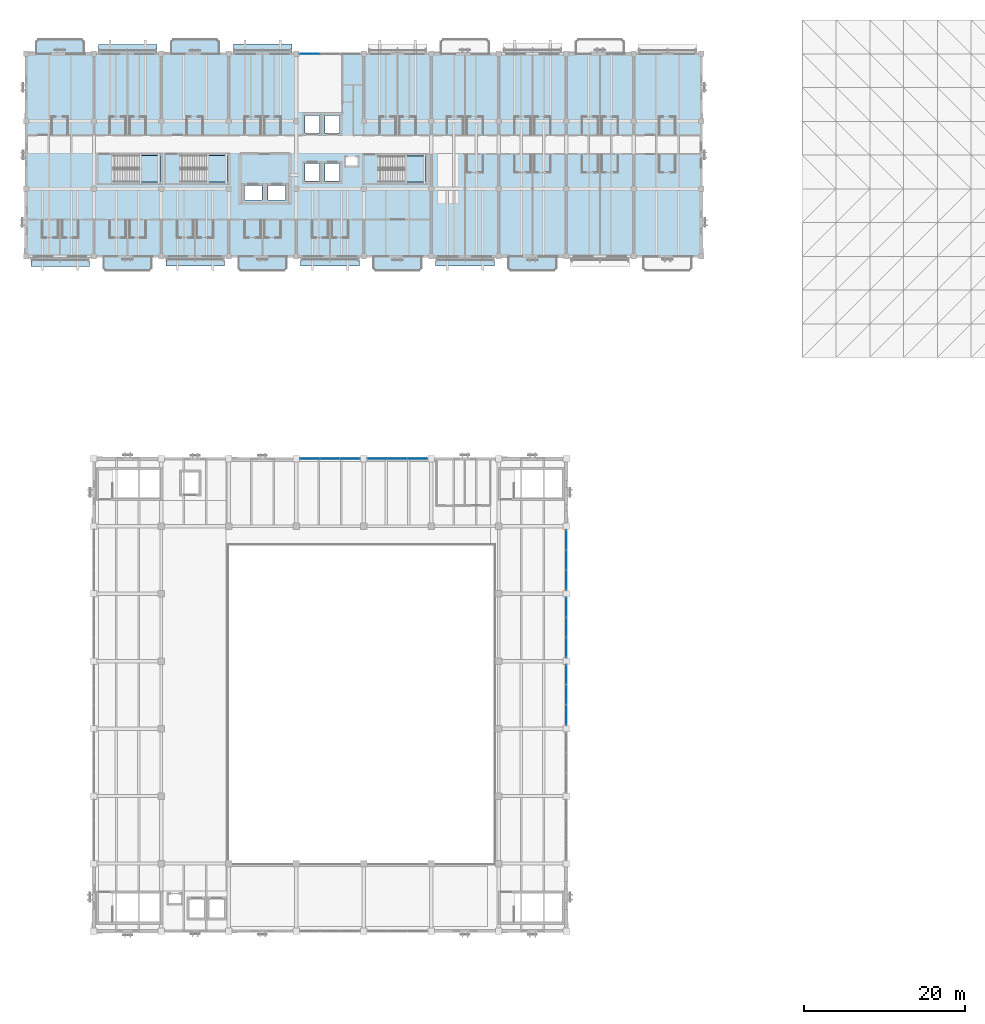
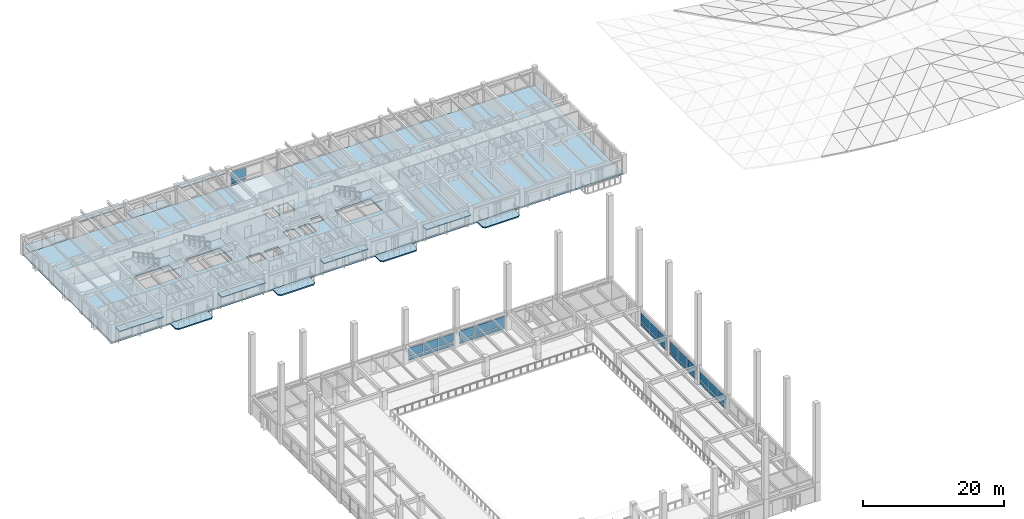
# One storey, part 17 of 64: 38 plates, 10 slabs, 15 elements without a shape of their own.
"""IFC4 building model written with IfcOpenShell, lengths in metres."""

from ifc_helpers import new_model, si_unit, direction, frame, origin, origin_2d, place, context, subcontext, project, spatial, polyline, rectangle, outline, extrude, material, layer, layer_set, type_object, element, aggregate, save


model = new_model("IFC4")

# Units and contexts
model_context = context("Model", 3, precision=1e-05, world=origin(), true_north=direction((0.0, 1.0)))
body_context = subcontext(model_context, "Body", "Model", "MODEL_VIEW")
ifc_project = project(units=[si_unit("LENGTHUNIT", "METRE"), si_unit("AREAUNIT", "SQUARE_METRE"), si_unit("VOLUMEUNIT", "CUBIC_METRE"), si_unit("PLANEANGLEUNIT", "RADIAN"), si_unit("MASSUNIT", "GRAM", prefix="KILO")], contexts=[model_context])

# Site, building, storey
site_placement = place(None, origin())
site = spatial("IfcSite", under=ifc_project, at=site_placement, CompositionType="ELEMENT")
building_placement = place(site_placement, origin())
building = spatial("IfcBuilding", under=site, at=building_placement, Name="Cumbredor Promenade Congress Hotel", CompositionType="ELEMENT")
storey_placement = place(building_placement, frame((0.0, 0.0, 18.47998046875)))
storey = spatial("IfcBuildingStorey", under=building, at=storey_placement, Name="L05", CompositionType="ELEMENT", Elevation=18.47998046875)

# Slabs
ifc_material_1 = material(Name="Concrete C40/50", Category="concrete")
ifc_layer_1 = layer(ifc_material_1, 0.215087890625, Name="Concrete C40/50", Category="concrete")
ifc_layer_set_1 = layer_set([ifc_layer_1], Name="Concrete C40/50")
slab_type_1 = type_object("IfcSlabType", Name="Cantilevered Guestroom Balcony Slab 215mm", PredefinedType="FLOOR", material=ifc_layer_set_1)
slab_1_placement = place(storey_placement, frame((0.0, 0.0, -0.215087890625)))
element("IfcSlab", 1, at=slab_1_placement, inside=storey, type_object=slab_type_1, Name="L05 Cantilevered Guestroom Veranda Balcony 025", PredefinedType="FLOOR", context=body_context, shape_type="SweptSolid", body=[
    extrude(outline(polyline([(1.14990234375, 117.60009765625), (7.25, 117.60009765625), (7.25, 119.10009765625), (6.89990234375, 119.449951171875), (1.5, 119.449951171875), (1.14990234375, 119.10009765625), (1.14990234375, 117.60009765625)])), origin(), (0.0, 0.0, 1.0), 0.215087890625),
])
slab_2_placement = place(storey_placement, frame((0.0, 0.0, -0.215087890625)))
element("IfcSlab", 2, at=slab_2_placement, inside=storey, type_object=slab_type_1, Name="L05 Cantilevered Guestroom Veranda Balcony 026", PredefinedType="FLOOR", context=body_context, shape_type="SweptSolid", body=[
    extrude(outline(polyline([(17.949951171875, 117.60009765625), (24.050048828125, 117.60009765625), (24.050048828125, 119.10009765625), (23.699951171875, 119.449951171875), (18.300048828125, 119.449951171875), (17.949951171875, 119.10009765625), (17.949951171875, 117.60009765625)])), origin(), (0.0, 0.0, 1.0), 0.215087890625),
])
slab_3_placement = place(storey_placement, frame((0.0, 0.0, -0.215087890625)))
element("IfcSlab", 3, at=slab_3_placement, inside=storey, type_object=slab_type_1, Name="L05 Cantilevered Guestroom Veranda Balcony 029", PredefinedType="FLOOR", context=body_context, shape_type="SweptSolid", body=[
    extrude(outline(polyline([(9.89990234375, 90.550048828125), (15.300048828125, 90.550048828125), (15.64990234375, 90.89990234375), (15.64990234375, 92.39990234375), (9.550048828125, 92.39990234375), (9.550048828125, 90.89990234375), (9.89990234375, 90.550048828125)])), origin(), (0.0, 0.0, 1.0), 0.215087890625),
])
slab_4_placement = place(storey_placement, frame((0.0, 0.0, -0.215087890625)))
element("IfcSlab", 4, at=slab_4_placement, inside=storey, type_object=slab_type_1, Name="L05 Cantilevered Guestroom Veranda Balcony 030", PredefinedType="FLOOR", context=body_context, shape_type="SweptSolid", body=[
    extrude(outline(polyline([(26.699951171875, 90.550048828125), (32.10009765625, 90.550048828125), (32.449951171875, 90.89990234375), (32.449951171875, 92.39990234375), (26.35009765625, 92.39990234375), (26.35009765625, 90.89990234375), (26.699951171875, 90.550048828125)])), origin(), (0.0, 0.0, 1.0), 0.215087890625),
])
slab_5_placement = place(storey_placement, frame((0.0, 0.0, -0.215087890625)))
element("IfcSlab", 5, at=slab_5_placement, inside=storey, type_object=slab_type_1, Name="L05 Cantilevered Guestroom Veranda Balcony 031", PredefinedType="FLOOR", context=body_context, shape_type="SweptSolid", body=[
    extrude(outline(polyline([(43.5, 90.550048828125), (48.89990234375, 90.550048828125), (49.25, 90.89990234375), (49.25, 92.39990234375), (43.14990234375, 92.39990234375), (43.14990234375, 90.89990234375), (43.5, 90.550048828125)])), origin(), (0.0, 0.0, 1.0), 0.215087890625),
])
slab_6_placement = place(storey_placement, frame((0.0, 0.0, -0.215087890625)))
element("IfcSlab", 6, at=slab_6_placement, inside=storey, type_object=slab_type_1, Name="L05 Cantilevered Guestroom Veranda Balcony 032", PredefinedType="FLOOR", context=body_context, shape_type="SweptSolid", body=[
    extrude(outline(polyline([(60.300048828125, 90.550048828125), (65.699951171875, 90.550048828125), (66.050048828125, 90.89990234375), (66.050048828125, 92.39990234375), (59.949951171875, 92.39990234375), (59.949951171875, 90.89990234375), (60.300048828125, 90.550048828125)])), origin(), (0.0, 0.0, 1.0), 0.215087890625),
])

# Stair, slab
stair_type_1 = type_object("IfcStairType", Name="Protected Dog-Leg Exit Stair ST-T2 1600mm", PredefinedType="HALF_TURN_STAIR", material=ifc_material_1)
stair_1_placement = place(storey_placement, origin())
stair_1 = element("IfcStair", 7, at=stair_1_placement, inside=storey, type_object=stair_type_1, Name="L05 Protected Exit Stair ST-01", PredefinedType="HALF_TURN_STAIR")
ifc_layer_2 = layer(ifc_material_1, 0.199951171875, Name="Concrete C40/50", Category="concrete")
ifc_layer_set_2 = layer_set([ifc_layer_2], Name="Concrete C40/50")
slab_type_2 = type_object("IfcSlabType", Name="Concrete Stair Landing Slab 200mm", PredefinedType="LANDING", material=ifc_layer_set_2)
slab_7_placement = place(storey_placement, frame((0.0, 0.0, 1.47998046875)))
slab_7 = element("IfcSlab", 8, at=slab_7_placement, type_object=slab_type_2, Name="ST-01 landing 1", PredefinedType="LANDING", context=body_context, shape_type="SweptSolid", body=[
    extrude(outline(polyline([(14.050048828125, 101.6201171875), (16.64990234375, 101.6201171875), (16.64990234375, 104.969970703125), (14.050048828125, 104.969970703125), (14.050048828125, 101.6201171875)])), origin(), (0.0, 0.0, 1.0), 0.199951171875),
])
aggregate(stair_1, [slab_7])

stair_2_placement = place(storey_placement, origin())
stair_2 = element("IfcStair", 9, at=stair_2_placement, inside=storey, type_object=stair_type_1, Name="L05 Protected Exit Stair ST-02", PredefinedType="HALF_TURN_STAIR")
slab_8_placement = place(storey_placement, frame((0.0, 0.0, 1.47998046875)))
slab_8 = element("IfcSlab", 10, at=slab_8_placement, type_object=slab_type_2, Name="ST-02 landing 1", PredefinedType="LANDING", context=body_context, shape_type="SweptSolid", body=[
    extrude(outline(polyline([(22.449951171875, 101.6201171875), (25.050048828125, 101.6201171875), (25.050048828125, 104.969970703125), (22.449951171875, 104.969970703125), (22.449951171875, 101.6201171875)])), origin(), (0.0, 0.0, 1.0), 0.199951171875),
])
aggregate(stair_2, [slab_8])

stair_type_2 = type_object("IfcStairType", Name="Protected Dog-Leg Exit Stair ST-T1 1550mm", PredefinedType="HALF_TURN_STAIR", material=ifc_material_1)
stair_3_placement = place(storey_placement, origin())
stair_3 = element("IfcStair", 11, at=stair_3_placement, inside=storey, type_object=stair_type_2, Name="L05 Protected Exit Stair ST-03", PredefinedType="HALF_TURN_STAIR")
slab_9_placement = place(storey_placement, frame((0.0, 0.0, 1.47998046875)))
slab_9 = element("IfcSlab", 12, at=slab_9_placement, type_object=slab_type_2, Name="ST-03 landing 1", PredefinedType="LANDING", context=body_context, shape_type="SweptSolid", body=[
    extrude(outline(polyline([(47.10009765625, 101.6201171875), (49.699951171875, 101.6201171875), (49.699951171875, 104.8701171875), (47.10009765625, 104.8701171875), (47.10009765625, 101.6201171875)])), origin(), (0.0, 0.0, 1.0), 0.199951171875),
])
aggregate(stair_3, [slab_9])

# Curtain wall, plates
ifc_material_2 = material(Name="Thermally broken anodized aluminium and low-E glass", Category="aluminium")
curtain_wall_type_1 = type_object("IfcCurtainWallType", Name="Unitised Bronze Curtain Wall CW-01", PredefinedType="NOTDEFINED", material=ifc_material_2)
curtain_wall_1_placement = place(storey_placement, origin())
curtain_wall_1 = element("IfcCurtainWall", 13, at=curtain_wall_1_placement, inside=storey, type_object=curtain_wall_type_1, Name="L05 Plenary Congress Hall North Curtain Wall 5", PredefinedType="NOTDEFINED")
ifc_material_3 = material(Name="Laminated low-E solar-control glass", Category="glass")
ifc_layer_3 = layer(ifc_material_3, 0.028076171875, Name="Laminated low-E solar-control glass", Category="glass")
ifc_layer_set_3 = layer_set([ifc_layer_3], Name="Laminated low-E solar-control glass")
plate_type_1 = type_object("IfcPlateType", Name="Glazed Vision Panel PNL-01", PredefinedType="CURTAIN_PANEL", material=ifc_layer_set_3)
plate_1_placement = place(storey_placement, frame((43.703369140625, 67.199951171875, 0.784912109375), z_axis=(0.0, 0.0, 1.0), x_axis=(1.0, 0.0, 0.0)))
plate_1 = element("IfcPlate", 14, at=plate_1_placement, type_object=plate_type_1, Name="L05 Plenary Congress Hall North Curtain Wall 5 Glazing Panel 1.2", PredefinedType="CURTAIN_PANEL", context=body_context, shape_type="SweptSolid", body=[
    extrude(rectangle(XDim=2.431640625, YDim=0.028076171875, at=origin_2d()), origin(), (0.0, 0.0, 1.0), 1.580078125),
])
plate_2_placement = place(storey_placement, frame((46.199951171875, 67.199951171875, 0.784912109375), z_axis=(0.0, 0.0, 1.0), x_axis=(1.0, 0.0, 0.0)))
plate_2 = element("IfcPlate", 15, at=plate_2_placement, type_object=plate_type_1, Name="L05 Plenary Congress Hall North Curtain Wall 5 Glazing Panel 2.2", PredefinedType="CURTAIN_PANEL", context=body_context, shape_type="SweptSolid", body=[
    extrude(rectangle(XDim=2.431640625, YDim=0.028076171875, at=origin_2d()), origin(), (0.0, 0.0, 1.0), 1.580078125),
])
plate_3_placement = place(storey_placement, frame((48.69677734375, 67.199951171875, 0.784912109375), z_axis=(0.0, 0.0, 1.0), x_axis=(1.0, 0.0, 0.0)))
plate_3 = element("IfcPlate", 16, at=plate_3_placement, type_object=plate_type_1, Name="L05 Plenary Congress Hall North Curtain Wall 5 Glazing Panel 3.2", PredefinedType="CURTAIN_PANEL", context=body_context, shape_type="SweptSolid", body=[
    extrude(rectangle(XDim=2.431640625, YDim=0.028076171875, at=origin_2d()), origin(), (0.0, 0.0, 1.0), 1.580078125),
])

curtain_wall_2_placement = place(storey_placement, origin())
curtain_wall_2 = element("IfcCurtainWall", 17, at=curtain_wall_2_placement, inside=storey, type_object=curtain_wall_type_1, Name="L05 Plenary Congress Hall East Curtain Wall 5", PredefinedType="NOTDEFINED")
plate_4_placement = place(storey_placement, frame((67.199951171875, 43.703369140625, 0.784912109375), z_axis=(0.0, 0.0, 1.0), x_axis=(0.0, 1.0, 0.0)))
plate_4 = element("IfcPlate", 18, at=plate_4_placement, type_object=plate_type_1, Name="L05 Plenary Congress Hall East Curtain Wall 5 Glazing Panel 1.2", PredefinedType="CURTAIN_PANEL", context=body_context, shape_type="SweptSolid", body=[
    extrude(rectangle(XDim=2.431640625, YDim=0.028076171875, at=origin_2d()), origin(), (0.0, 0.0, 1.0), 1.580078125),
])
plate_5_placement = place(storey_placement, frame((67.199951171875, 46.199951171875, 0.784912109375), z_axis=(0.0, 0.0, 1.0), x_axis=(0.0, 1.0, 0.0)))
plate_5 = element("IfcPlate", 19, at=plate_5_placement, type_object=plate_type_1, Name="L05 Plenary Congress Hall East Curtain Wall 5 Glazing Panel 2.2", PredefinedType="CURTAIN_PANEL", context=body_context, shape_type="SweptSolid", body=[
    extrude(rectangle(XDim=2.431640625, YDim=0.028076171875, at=origin_2d()), origin(), (0.0, 0.0, 1.0), 1.580078125),
])
plate_6_placement = place(storey_placement, frame((67.199951171875, 48.69677734375, 0.784912109375), z_axis=(0.0, 0.0, 1.0), x_axis=(0.0, 1.0, 0.0)))
plate_6 = element("IfcPlate", 20, at=plate_6_placement, type_object=plate_type_1, Name="L05 Plenary Congress Hall East Curtain Wall 5 Glazing Panel 3.2", PredefinedType="CURTAIN_PANEL", context=body_context, shape_type="SweptSolid", body=[
    extrude(rectangle(XDim=2.431640625, YDim=0.028076171875, at=origin_2d()), origin(), (0.0, 0.0, 1.0), 1.580078125),
])

curtain_wall_3_placement = place(storey_placement, origin())
curtain_wall_3 = element("IfcCurtainWall", 21, at=curtain_wall_3_placement, inside=storey, type_object=curtain_wall_type_1, Name="L05 Plenary Congress Hall East Curtain Wall 6", PredefinedType="NOTDEFINED")
ifc_layer_4 = layer(ifc_material_3, 0.031982421875, Name="Laminated low-E solar-control glass", Category="glass")
ifc_layer_set_4 = layer_set([ifc_layer_4], Name="Laminated low-E solar-control glass")
plate_type_2 = type_object("IfcPlateType", Name="Glazed Vision Panel PNL-02", PredefinedType="CURTAIN_PANEL", material=ifc_layer_set_4)
plate_7_placement = place(storey_placement, frame((67.199951171875, 52.103271484375, 0.794921875), z_axis=(0.0, 0.0, 1.0), x_axis=(0.0, 1.0, 0.0)))
plate_7 = element("IfcPlate", 22, at=plate_7_placement, type_object=plate_type_2, Name="L05 Plenary Congress Hall East Curtain Wall 6 Glazing Panel 1.2", PredefinedType="CURTAIN_PANEL", context=body_context, shape_type="SweptSolid", body=[
    extrude(rectangle(XDim=2.421630859375, YDim=0.031982421875, at=origin_2d()), origin(), (0.0, 0.0, 1.0), 1.550048828125),
])
plate_8_placement = place(storey_placement, frame((67.199951171875, 54.60009765625, 0.794921875), z_axis=(0.0, 0.0, 1.0), x_axis=(0.0, 1.0, 0.0)))
plate_8 = element("IfcPlate", 23, at=plate_8_placement, type_object=plate_type_2, Name="L05 Plenary Congress Hall East Curtain Wall 6 Glazing Panel 2.2", PredefinedType="CURTAIN_PANEL", context=body_context, shape_type="SweptSolid", body=[
    extrude(rectangle(XDim=2.421630859375, YDim=0.031982421875, at=origin_2d()), origin(), (0.0, 0.0, 1.0), 1.550048828125),
])
plate_9_placement = place(storey_placement, frame((67.199951171875, 57.0966796875, 0.794921875), z_axis=(0.0, 0.0, 1.0), x_axis=(0.0, 1.0, 0.0)))
plate_9 = element("IfcPlate", 24, at=plate_9_placement, type_object=plate_type_2, Name="L05 Plenary Congress Hall East Curtain Wall 6 Glazing Panel 3.2", PredefinedType="CURTAIN_PANEL", context=body_context, shape_type="SweptSolid", body=[
    extrude(rectangle(XDim=2.421630859375, YDim=0.031982421875, at=origin_2d()), origin(), (0.0, 0.0, 1.0), 1.550048828125),
])

curtain_wall_4_placement = place(storey_placement, origin())
curtain_wall_4 = element("IfcCurtainWall", 25, at=curtain_wall_4_placement, inside=storey, type_object=curtain_wall_type_1, Name="L05 Plenary Congress Hall North Curtain Wall 4", PredefinedType="NOTDEFINED")
ifc_layer_5 = layer(ifc_material_3, 0.028076171875, Name="Laminated low-E solar-control glass", Category="glass")
ifc_layer_set_5 = layer_set([ifc_layer_5], Name="Laminated low-E solar-control glass")
plate_type_3 = type_object("IfcPlateType", Name="Glazed Vision Panel PNL-03", PredefinedType="CURTAIN_PANEL", material=ifc_layer_set_5)
plate_10_placement = place(storey_placement, frame((35.30322265625, 67.199951171875, 0.81005859375), z_axis=(0.0, 0.0, 1.0), x_axis=(1.0, 0.0, 0.0)))
plate_10 = element("IfcPlate", 26, at=plate_10_placement, type_object=plate_type_3, Name="L05 Plenary Congress Hall North Curtain Wall 4 Glazing Panel 1.2", PredefinedType="CURTAIN_PANEL", context=body_context, shape_type="SweptSolid", body=[
    extrude(rectangle(XDim=2.416748046875, YDim=0.028076171875, at=origin_2d()), origin(), (0.0, 0.0, 1.0), 1.5),
])
plate_11_placement = place(storey_placement, frame((37.800048828125, 67.199951171875, 0.81005859375), z_axis=(0.0, 0.0, 1.0), x_axis=(1.0, 0.0, 0.0)))
plate_11 = element("IfcPlate", 27, at=plate_11_placement, type_object=plate_type_3, Name="L05 Plenary Congress Hall North Curtain Wall 4 Glazing Panel 2.2", PredefinedType="CURTAIN_PANEL", context=body_context, shape_type="SweptSolid", body=[
    extrude(rectangle(XDim=2.41650390625, YDim=0.028076171875, at=origin_2d()), origin(), (0.0, 0.0, 1.0), 1.5),
])
plate_12_placement = place(storey_placement, frame((40.296630859375, 67.199951171875, 0.81005859375), z_axis=(0.0, 0.0, 1.0), x_axis=(1.0, 0.0, 0.0)))
plate_12 = element("IfcPlate", 28, at=plate_12_placement, type_object=plate_type_3, Name="L05 Plenary Congress Hall North Curtain Wall 4 Glazing Panel 3.2", PredefinedType="CURTAIN_PANEL", context=body_context, shape_type="SweptSolid", body=[
    extrude(rectangle(XDim=2.416748046875, YDim=0.028076171875, at=origin_2d()), origin(), (0.0, 0.0, 1.0), 1.5),
])

curtain_wall_5_placement = place(storey_placement, origin())
curtain_wall_5 = element("IfcCurtainWall", 29, at=curtain_wall_5_placement, inside=storey, type_object=curtain_wall_type_1, Name="L05 Plenary Congress Hall East Curtain Wall 4", PredefinedType="NOTDEFINED")
plate_13_placement = place(storey_placement, frame((67.199951171875, 35.30322265625, 0.81005859375), z_axis=(0.0, 0.0, 1.0), x_axis=(0.0, 1.0, 0.0)))
plate_13 = element("IfcPlate", 30, at=plate_13_placement, type_object=plate_type_3, Name="L05 Plenary Congress Hall East Curtain Wall 4 Glazing Panel 1.2", PredefinedType="CURTAIN_PANEL", context=body_context, shape_type="SweptSolid", body=[
    extrude(rectangle(XDim=2.416748046875, YDim=0.028076171875, at=origin_2d()), origin(), (0.0, 0.0, 1.0), 1.5),
])
plate_14_placement = place(storey_placement, frame((67.199951171875, 37.800048828125, 0.81005859375), z_axis=(0.0, 0.0, 1.0), x_axis=(0.0, 1.0, 0.0)))
plate_14 = element("IfcPlate", 31, at=plate_14_placement, type_object=plate_type_3, Name="L05 Plenary Congress Hall East Curtain Wall 4 Glazing Panel 2.2", PredefinedType="CURTAIN_PANEL", context=body_context, shape_type="SweptSolid", body=[
    extrude(rectangle(XDim=2.41650390625, YDim=0.028076171875, at=origin_2d()), origin(), (0.0, 0.0, 1.0), 1.5),
])
plate_15_placement = place(storey_placement, frame((67.199951171875, 40.296630859375, 0.81005859375), z_axis=(0.0, 0.0, 1.0), x_axis=(0.0, 1.0, 0.0)))
plate_15 = element("IfcPlate", 32, at=plate_15_placement, type_object=plate_type_3, Name="L05 Plenary Congress Hall East Curtain Wall 4 Glazing Panel 3.2", PredefinedType="CURTAIN_PANEL", context=body_context, shape_type="SweptSolid", body=[
    extrude(rectangle(XDim=2.416748046875, YDim=0.028076171875, at=origin_2d()), origin(), (0.0, 0.0, 1.0), 1.5),
])

# Curtain wall, plate
curtain_wall_6_placement = place(storey_placement, origin())
curtain_wall_6 = element("IfcCurtainWall", 33, at=curtain_wall_6_placement, inside=storey, type_object=curtain_wall_type_1, Name="L05 Stepped Congress Hotel Wing North Curtain Wall 5", PredefinedType="NOTDEFINED")
plate_16_placement = place(storey_placement, frame((35.27001953125, 117.60009765625, 0.81005859375), z_axis=(0.0, 0.0, 1.0), x_axis=(1.0, 0.0, 0.0)))
plate_16 = element("IfcPlate", 34, at=plate_16_placement, type_object=plate_type_3, Name="L05 Stepped Congress Hotel Wing North Curtain Wall 5 Glazing Panel 1.2", PredefinedType="CURTAIN_PANEL", context=body_context, shape_type="SweptSolid", body=[
    extrude(rectangle(XDim=2.449951171875, YDim=0.028076171875, at=origin_2d()), origin(), (0.0, 0.0, 1.0), 1.5),
])

curtain_wall_type_2 = type_object("IfcCurtainWallType", Name="Solar Brise-Soleil Screen Assembly CW-07", PredefinedType="NOTDEFINED", material=ifc_material_2)
curtain_wall_7_placement = place(storey_placement, origin())
curtain_wall_7 = element("IfcCurtainWall", 35, at=curtain_wall_7_placement, inside=storey, type_object=curtain_wall_type_2, Name="L05 Hospitality Brise-Soleil Screen 078", PredefinedType="NOTDEFINED")
ifc_material_4 = material(Name="Precast concrete C40/50", Category="concrete")
ifc_layer_6 = layer(ifc_material_4, 0.14501953125, Name="Precast concrete C40/50", Category="concrete")
ifc_layer_set_6 = layer_set([ifc_layer_6], Name="Precast concrete C40/50")
plate_type_4 = type_object("IfcPlateType", Name="Horizontal Precast Sun-Hood Eyebrow Plate 145mm", PredefinedType="USERDEFINED", material=ifc_layer_set_6)
plate_17_placement = place(storey_placement, frame((4.199951171875, 91.802490234375, 2.333984375), z_axis=(0.0, 0.0, 1.0), x_axis=(1.0, 0.0, 0.0)))
plate_17 = element("IfcPlate", 36, at=plate_17_placement, type_object=plate_type_4, Name="L05 Horizontal Sun-Hood Eyebrow 078", ObjectType="SUN HOOD", PredefinedType="USERDEFINED", context=body_context, shape_type="SweptSolid", body=[
    extrude(rectangle(XDim=7.298095703125, YDim=1.35498046875, at=origin_2d()), origin(), (0.0, 0.0, 1.0), 0.14501953125),
])
aggregate(curtain_wall_7, [plate_17])

curtain_wall_8_placement = place(storey_placement, origin())
curtain_wall_8 = element("IfcCurtainWall", 37, at=curtain_wall_8_placement, inside=storey, type_object=curtain_wall_type_2, Name="L05 Hospitality Brise-Soleil Screen 079", PredefinedType="NOTDEFINED")
plate_18_placement = place(storey_placement, frame((21.0, 91.844970703125, 2.333984375), z_axis=(0.0, 0.0, 1.0), x_axis=(1.0, 0.0, 0.0)))
plate_18 = element("IfcPlate", 38, at=plate_18_placement, type_object=plate_type_4, Name="L05 Horizontal Sun-Hood Eyebrow 079", ObjectType="SUN HOOD", PredefinedType="USERDEFINED", context=body_context, shape_type="SweptSolid", body=[
    extrude(rectangle(XDim=7.298095703125, YDim=1.27001953125, at=origin_2d()), origin(), (0.0, 0.0, 1.0), 0.14501953125),
])
aggregate(curtain_wall_8, [plate_18])

curtain_wall_9_placement = place(storey_placement, origin())
curtain_wall_9 = element("IfcCurtainWall", 39, at=curtain_wall_9_placement, inside=storey, type_object=curtain_wall_type_2, Name="L05 Hospitality Brise-Soleil Screen 080", PredefinedType="NOTDEFINED")
plate_19_placement = place(storey_placement, frame((37.800048828125, 91.833740234375, 2.333984375), z_axis=(0.0, 0.0, 1.0), x_axis=(1.0, 0.0, 0.0)))
plate_19 = element("IfcPlate", 40, at=plate_19_placement, type_object=plate_type_4, Name="L05 Horizontal Sun-Hood Eyebrow 080", ObjectType="SUN HOOD", PredefinedType="USERDEFINED", context=body_context, shape_type="SweptSolid", body=[
    extrude(rectangle(XDim=7.298095703125, YDim=1.29248046875, at=origin_2d()), origin(), (0.0, 0.0, 1.0), 0.14501953125),
])
aggregate(curtain_wall_9, [plate_19])

curtain_wall_10_placement = place(storey_placement, origin())
curtain_wall_10 = element("IfcCurtainWall", 41, at=curtain_wall_10_placement, inside=storey, type_object=curtain_wall_type_2, Name="L05 Hospitality Brise-Soleil Screen 081", PredefinedType="NOTDEFINED")
plate_20_placement = place(storey_placement, frame((54.60009765625, 91.820068359375, 2.333984375), z_axis=(0.0, 0.0, 1.0), x_axis=(1.0, 0.0, 0.0)))
plate_20 = element("IfcPlate", 42, at=plate_20_placement, type_object=plate_type_4, Name="L05 Horizontal Sun-Hood Eyebrow 081", ObjectType="SUN HOOD", PredefinedType="USERDEFINED", context=body_context, shape_type="SweptSolid", body=[
    extrude(rectangle(XDim=7.298095703125, YDim=1.320068359375, at=origin_2d()), origin(), (0.0, 0.0, 1.0), 0.14501953125),
])
aggregate(curtain_wall_10, [plate_20])

curtain_wall_11_placement = place(storey_placement, origin())
curtain_wall_11 = element("IfcCurtainWall", 43, at=curtain_wall_11_placement, inside=storey, type_object=curtain_wall_type_2, Name="L05 Hospitality Brise-Soleil Screen 083", PredefinedType="NOTDEFINED")
plate_21_placement = place(storey_placement, frame((12.60009765625, 118.14990234375, 2.333984375), z_axis=(0.0, 0.0, 1.0), x_axis=(1.0, 0.0, 0.0)))
plate_21 = element("IfcPlate", 44, at=plate_21_placement, type_object=plate_type_4, Name="L05 Horizontal Sun-Hood Eyebrow 083", ObjectType="SUN HOOD", PredefinedType="USERDEFINED", context=body_context, shape_type="SweptSolid", body=[
    extrude(rectangle(XDim=7.298095703125, YDim=1.260009765625, at=origin_2d()), origin(), (0.0, 0.0, 1.0), 0.14501953125),
])
aggregate(curtain_wall_11, [plate_21])

curtain_wall_12_placement = place(storey_placement, origin())
curtain_wall_12 = element("IfcCurtainWall", 45, at=curtain_wall_12_placement, inside=storey, type_object=curtain_wall_type_2, Name="L05 Hospitality Brise-Soleil Screen 084", PredefinedType="NOTDEFINED")
plate_22_placement = place(storey_placement, frame((29.39990234375, 118.159912109375, 2.333984375), z_axis=(0.0, 0.0, 1.0), x_axis=(1.0, 0.0, 0.0)))
plate_22 = element("IfcPlate", 46, at=plate_22_placement, type_object=plate_type_4, Name="L05 Horizontal Sun-Hood Eyebrow 084", ObjectType="SUN HOOD", PredefinedType="USERDEFINED", context=body_context, shape_type="SweptSolid", body=[
    extrude(rectangle(XDim=7.298095703125, YDim=1.280029296875, at=origin_2d()), origin(), (0.0, 0.0, 1.0), 0.14501953125),
])
aggregate(curtain_wall_12, [plate_22])

# Slab
ifc_layer_7 = layer(ifc_material_1, 0.239990234375, Name="Concrete C40/50", Category="concrete")
ifc_layer_set_7 = layer_set([ifc_layer_7], Name="Concrete C40/50")
slab_type_3 = type_object("IfcSlabType", Name="Hotel Typical Floor Slab 240mm", PredefinedType="FLOOR", material=ifc_layer_set_7)
slab_10_placement = place(storey_placement, frame((0.0, 0.0, -0.239990234375)))
element("IfcSlab", 47, at=slab_10_placement, inside=storey, type_object=slab_type_3, Name="L05 Stepped Congress Hotel Wing Floor Slab", PredefinedType="FLOOR", context=body_context, shape_type="SweptSolid", body=[
    extrude(outline(polyline([(0.0, 92.39990234375), (84.0, 92.39990234375), (84.0, 117.60009765625), (0.0, 117.60009765625), (0.0, 92.39990234375)]), holes=[polyline([(10.75, 101.6201171875), (16.64990234375, 101.6201171875), (16.64990234375, 104.969970703125), (10.75, 104.969970703125), (10.75, 101.6201171875)]), polyline([(19.14990234375, 101.6201171875), (25.050048828125, 101.6201171875), (25.050048828125, 104.969970703125), (19.14990234375, 104.969970703125), (19.14990234375, 101.6201171875)]), polyline([(43.800048828125, 101.6201171875), (49.699951171875, 101.6201171875), (49.699951171875, 104.8701171875), (43.800048828125, 104.8701171875), (43.800048828125, 101.6201171875)]), polyline([(27.1298828125, 99.39990234375), (29.300048828125, 99.39990234375), (29.300048828125, 101.199951171875), (27.1298828125, 101.199951171875), (27.1298828125, 99.39990234375)]), polyline([(30.10009765625, 99.39990234375), (32.27001953125, 99.39990234375), (32.27001953125, 101.199951171875), (30.10009765625, 101.199951171875), (30.10009765625, 99.39990234375)]), polyline([(34.699951171875, 107.75), (36.5, 107.75), (36.5, 109.949951171875), (34.699951171875, 109.949951171875), (34.699951171875, 107.75)]), polyline([(37.199951171875, 107.75), (39.0, 107.75), (39.0, 109.949951171875), (37.199951171875, 109.949951171875), (37.199951171875, 107.75)]), polyline([(34.699951171875, 101.75), (36.5, 101.75), (36.5, 103.949951171875), (34.699951171875, 103.949951171875), (34.699951171875, 101.75)]), polyline([(37.199951171875, 101.75), (39.0, 101.75), (39.0, 103.949951171875), (37.199951171875, 103.949951171875), (37.199951171875, 101.75)]), polyline([(39.699951171875, 103.60009765625), (41.300048828125, 103.60009765625), (41.300048828125, 104.800048828125), (39.699951171875, 104.800048828125), (39.699951171875, 103.60009765625)])]), origin(), (0.0, 0.0, 1.0), 0.239990234375),
])

# Plate
ifc_material_5 = material(Name="Thermally broken anodized aluminium", Category="aluminium")
ifc_layer_8 = layer(ifc_material_5, 0.0400390625, Name="Thermally broken anodized aluminium", Category="aluminium")
ifc_layer_set_8 = layer_set([ifc_layer_8], Name="Thermally broken anodized aluminium")
plate_type_5 = type_object("IfcPlateType", Name="Insulated Spandrel Panel PNL-05", PredefinedType="CURTAIN_PANEL", material=ifc_layer_set_8)
plate_23_placement = place(storey_placement, frame((43.703369140625, 67.199951171875, 0.135009765625), z_axis=(0.0, 0.0, 1.0), x_axis=(1.0, 0.0, 0.0)))
plate_23 = element("IfcPlate", 48, at=plate_23_placement, type_object=plate_type_5, Name="L05 Plenary Congress Hall North Curtain Wall 5 Spandrel Panel 1.1", PredefinedType="CURTAIN_PANEL", context=body_context, shape_type="SweptSolid", body=[
    extrude(rectangle(XDim=2.431640625, YDim=0.0400390625, at=origin_2d()), origin(), (0.0, 0.0, 1.0), 0.52001953125),
])

plate_24_placement = place(storey_placement, frame((46.199951171875, 67.199951171875, 0.135009765625), z_axis=(0.0, 0.0, 1.0), x_axis=(1.0, 0.0, 0.0)))
plate_24 = element("IfcPlate", 49, at=plate_24_placement, type_object=plate_type_5, Name="L05 Plenary Congress Hall North Curtain Wall 5 Spandrel Panel 2.1", PredefinedType="CURTAIN_PANEL", context=body_context, shape_type="SweptSolid", body=[
    extrude(rectangle(XDim=2.431640625, YDim=0.0400390625, at=origin_2d()), origin(), (0.0, 0.0, 1.0), 0.52001953125),
])

plate_25_placement = place(storey_placement, frame((48.69677734375, 67.199951171875, 0.135009765625), z_axis=(0.0, 0.0, 1.0), x_axis=(1.0, 0.0, 0.0)))
plate_25 = element("IfcPlate", 50, at=plate_25_placement, type_object=plate_type_5, Name="L05 Plenary Congress Hall North Curtain Wall 5 Spandrel Panel 3.1", PredefinedType="CURTAIN_PANEL", context=body_context, shape_type="SweptSolid", body=[
    extrude(rectangle(XDim=2.431640625, YDim=0.0400390625, at=origin_2d()), origin(), (0.0, 0.0, 1.0), 0.52001953125),
])

aggregate(curtain_wall_1, [plate_23, plate_1, plate_24, plate_2, plate_25, plate_3])

plate_26_placement = place(storey_placement, frame((67.199951171875, 35.30322265625, 0.18017578125), z_axis=(0.0, 0.0, 1.0), x_axis=(0.0, 1.0, 0.0)))
plate_26 = element("IfcPlate", 51, at=plate_26_placement, type_object=plate_type_5, Name="L05 Plenary Congress Hall East Curtain Wall 4 Spandrel Panel 1.1", PredefinedType="CURTAIN_PANEL", context=body_context, shape_type="SweptSolid", body=[
    extrude(rectangle(XDim=2.416748046875, YDim=0.0400390625, at=origin_2d()), origin(), (0.0, 0.0, 1.0), 0.449951171875),
])

plate_27_placement = place(storey_placement, frame((67.199951171875, 37.800048828125, 0.18017578125), z_axis=(0.0, 0.0, 1.0), x_axis=(0.0, 1.0, 0.0)))
plate_27 = element("IfcPlate", 52, at=plate_27_placement, type_object=plate_type_5, Name="L05 Plenary Congress Hall East Curtain Wall 4 Spandrel Panel 2.1", PredefinedType="CURTAIN_PANEL", context=body_context, shape_type="SweptSolid", body=[
    extrude(rectangle(XDim=2.41650390625, YDim=0.0400390625, at=origin_2d()), origin(), (0.0, 0.0, 1.0), 0.449951171875),
])

plate_28_placement = place(storey_placement, frame((67.199951171875, 40.296630859375, 0.18017578125), z_axis=(0.0, 0.0, 1.0), x_axis=(0.0, 1.0, 0.0)))
plate_28 = element("IfcPlate", 53, at=plate_28_placement, type_object=plate_type_5, Name="L05 Plenary Congress Hall East Curtain Wall 4 Spandrel Panel 3.1", PredefinedType="CURTAIN_PANEL", context=body_context, shape_type="SweptSolid", body=[
    extrude(rectangle(XDim=2.416748046875, YDim=0.0400390625, at=origin_2d()), origin(), (0.0, 0.0, 1.0), 0.449951171875),
])

aggregate(curtain_wall_5, [plate_26, plate_13, plate_27, plate_14, plate_28, plate_15])

plate_29_placement = place(storey_placement, frame((67.199951171875, 52.103271484375, 0.14501953125), z_axis=(0.0, 0.0, 1.0), x_axis=(0.0, 1.0, 0.0)))
plate_29 = element("IfcPlate", 54, at=plate_29_placement, type_object=plate_type_5, Name="L05 Plenary Congress Hall East Curtain Wall 6 Spandrel Panel 1.1", PredefinedType="CURTAIN_PANEL", context=body_context, shape_type="SweptSolid", body=[
    extrude(rectangle(XDim=2.421630859375, YDim=0.0400390625, at=origin_2d()), origin(), (0.0, 0.0, 1.0), 0.5),
])

plate_30_placement = place(storey_placement, frame((67.199951171875, 54.60009765625, 0.14501953125), z_axis=(0.0, 0.0, 1.0), x_axis=(0.0, 1.0, 0.0)))
plate_30 = element("IfcPlate", 55, at=plate_30_placement, type_object=plate_type_5, Name="L05 Plenary Congress Hall East Curtain Wall 6 Spandrel Panel 2.1", PredefinedType="CURTAIN_PANEL", context=body_context, shape_type="SweptSolid", body=[
    extrude(rectangle(XDim=2.421630859375, YDim=0.0400390625, at=origin_2d()), origin(), (0.0, 0.0, 1.0), 0.5),
])

plate_31_placement = place(storey_placement, frame((67.199951171875, 57.0966796875, 0.14501953125), z_axis=(0.0, 0.0, 1.0), x_axis=(0.0, 1.0, 0.0)))
plate_31 = element("IfcPlate", 56, at=plate_31_placement, type_object=plate_type_5, Name="L05 Plenary Congress Hall East Curtain Wall 6 Spandrel Panel 3.1", PredefinedType="CURTAIN_PANEL", context=body_context, shape_type="SweptSolid", body=[
    extrude(rectangle(XDim=2.421630859375, YDim=0.0400390625, at=origin_2d()), origin(), (0.0, 0.0, 1.0), 0.5),
])

aggregate(curtain_wall_3, [plate_29, plate_7, plate_30, plate_8, plate_31, plate_9])

ifc_layer_9 = layer(ifc_material_5, 0.0400390625, Name="Thermally broken anodized aluminium", Category="aluminium")
ifc_layer_set_9 = layer_set([ifc_layer_9], Name="Thermally broken anodized aluminium")
plate_type_6 = type_object("IfcPlateType", Name="Insulated Spandrel Panel PNL-06", PredefinedType="CURTAIN_PANEL", material=ifc_layer_set_9)
plate_32_placement = place(storey_placement, frame((35.30322265625, 67.199951171875, 0.18017578125), z_axis=(0.0, 0.0, 1.0), x_axis=(1.0, 0.0, 0.0)))
plate_32 = element("IfcPlate", 57, at=plate_32_placement, type_object=plate_type_6, Name="L05 Plenary Congress Hall North Curtain Wall 4 Spandrel Panel 1.1", PredefinedType="CURTAIN_PANEL", context=body_context, shape_type="SweptSolid", body=[
    extrude(rectangle(XDim=2.416748046875, YDim=0.0400390625, at=origin_2d()), origin(), (0.0, 0.0, 1.0), 0.449951171875),
])

plate_33_placement = place(storey_placement, frame((37.800048828125, 67.199951171875, 0.18017578125), z_axis=(0.0, 0.0, 1.0), x_axis=(1.0, 0.0, 0.0)))
plate_33 = element("IfcPlate", 58, at=plate_33_placement, type_object=plate_type_6, Name="L05 Plenary Congress Hall North Curtain Wall 4 Spandrel Panel 2.1", PredefinedType="CURTAIN_PANEL", context=body_context, shape_type="SweptSolid", body=[
    extrude(rectangle(XDim=2.41650390625, YDim=0.0400390625, at=origin_2d()), origin(), (0.0, 0.0, 1.0), 0.449951171875),
])

plate_34_placement = place(storey_placement, frame((40.296630859375, 67.199951171875, 0.18017578125), z_axis=(0.0, 0.0, 1.0), x_axis=(1.0, 0.0, 0.0)))
plate_34 = element("IfcPlate", 59, at=plate_34_placement, type_object=plate_type_6, Name="L05 Plenary Congress Hall North Curtain Wall 4 Spandrel Panel 3.1", PredefinedType="CURTAIN_PANEL", context=body_context, shape_type="SweptSolid", body=[
    extrude(rectangle(XDim=2.416748046875, YDim=0.0400390625, at=origin_2d()), origin(), (0.0, 0.0, 1.0), 0.449951171875),
])

aggregate(curtain_wall_4, [plate_32, plate_10, plate_33, plate_11, plate_34, plate_12])

plate_35_placement = place(storey_placement, frame((67.199951171875, 43.703369140625, 0.135009765625), z_axis=(0.0, 0.0, 1.0), x_axis=(0.0, 1.0, 0.0)))
plate_35 = element("IfcPlate", 60, at=plate_35_placement, type_object=plate_type_6, Name="L05 Plenary Congress Hall East Curtain Wall 5 Spandrel Panel 1.1", PredefinedType="CURTAIN_PANEL", context=body_context, shape_type="SweptSolid", body=[
    extrude(rectangle(XDim=2.431640625, YDim=0.0400390625, at=origin_2d()), origin(), (0.0, 0.0, 1.0), 0.52001953125),
])

plate_36_placement = place(storey_placement, frame((67.199951171875, 46.199951171875, 0.135009765625), z_axis=(0.0, 0.0, 1.0), x_axis=(0.0, 1.0, 0.0)))
plate_36 = element("IfcPlate", 61, at=plate_36_placement, type_object=plate_type_6, Name="L05 Plenary Congress Hall East Curtain Wall 5 Spandrel Panel 2.1", PredefinedType="CURTAIN_PANEL", context=body_context, shape_type="SweptSolid", body=[
    extrude(rectangle(XDim=2.431640625, YDim=0.0400390625, at=origin_2d()), origin(), (0.0, 0.0, 1.0), 0.52001953125),
])

plate_37_placement = place(storey_placement, frame((67.199951171875, 48.69677734375, 0.135009765625), z_axis=(0.0, 0.0, 1.0), x_axis=(0.0, 1.0, 0.0)))
plate_37 = element("IfcPlate", 62, at=plate_37_placement, type_object=plate_type_6, Name="L05 Plenary Congress Hall East Curtain Wall 5 Spandrel Panel 3.1", PredefinedType="CURTAIN_PANEL", context=body_context, shape_type="SweptSolid", body=[
    extrude(rectangle(XDim=2.431640625, YDim=0.0400390625, at=origin_2d()), origin(), (0.0, 0.0, 1.0), 0.52001953125),
])

aggregate(curtain_wall_2, [plate_35, plate_4, plate_36, plate_5, plate_37, plate_6])

plate_38_placement = place(storey_placement, frame((35.27001953125, 117.60009765625, 0.18017578125), z_axis=(0.0, 0.0, 1.0), x_axis=(1.0, 0.0, 0.0)))
plate_38 = element("IfcPlate", 63, at=plate_38_placement, type_object=plate_type_6, Name="L05 Stepped Congress Hotel Wing North Curtain Wall 5 Spandrel Panel 1.1", PredefinedType="CURTAIN_PANEL", context=body_context, shape_type="SweptSolid", body=[
    extrude(rectangle(XDim=2.449951171875, YDim=0.0400390625, at=origin_2d()), origin(), (0.0, 0.0, 1.0), 0.449951171875),
])

aggregate(curtain_wall_6, [plate_38, plate_16])

save(model, "model.ifc")
